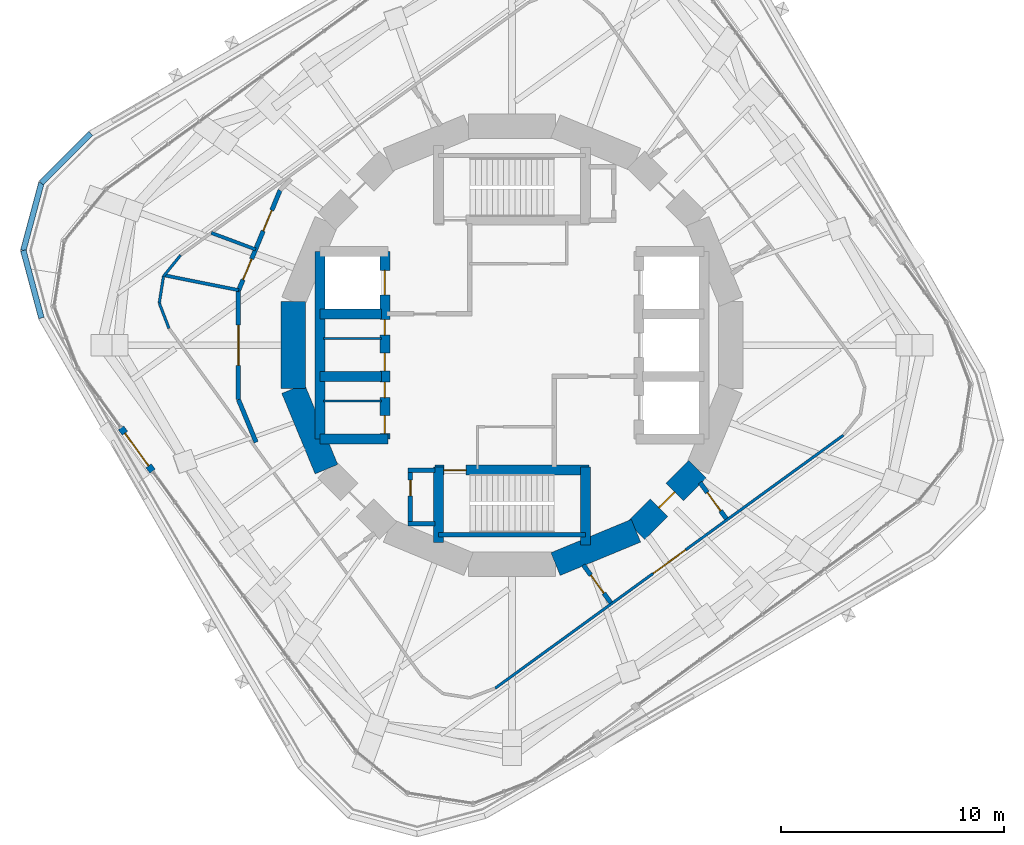
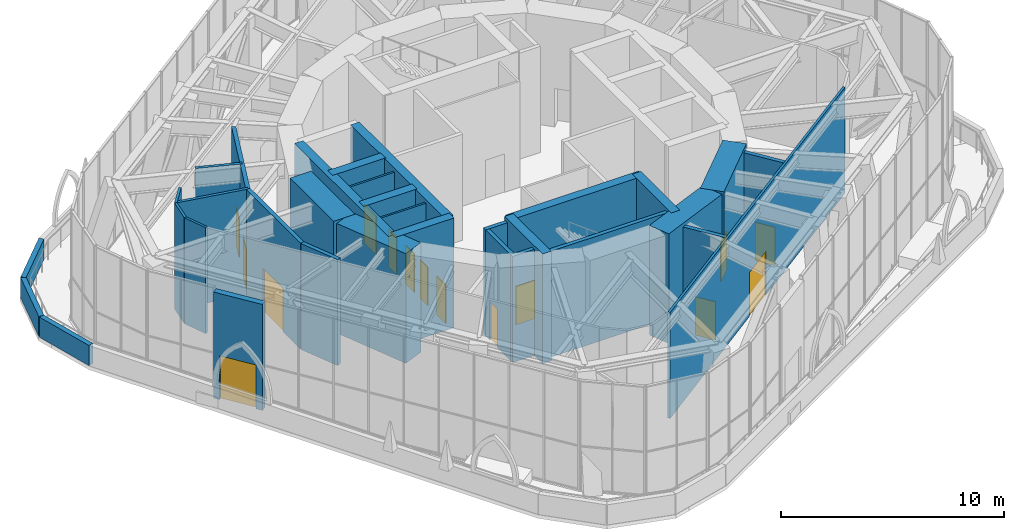
# One storey, part 13 of 18: 33 walls, 15 doors, 15 openings.
"""IFC4 building model written with IfcOpenShell, lengths in metres."""

from ifc_helpers import new_model, si_unit, direction, frame, frame_2d, origin, place, context, subcontext, project, spatial, rectangle, extrude, material, layer, layer_set, type_object, element, fill, save


model = new_model("IFC4")

# Units and contexts
model_context = context("Model", 3, precision=1e-05, world=origin(), true_north=direction((0.0, 1.0)))
body_context = subcontext(model_context, "Body", "Model", "MODEL_VIEW")
ifc_project = project(units=[si_unit("LENGTHUNIT", "METRE"), si_unit("AREAUNIT", "SQUARE_METRE"), si_unit("VOLUMEUNIT", "CUBIC_METRE"), si_unit("PLANEANGLEUNIT", "RADIAN"), si_unit("MASSUNIT", "GRAM", prefix="KILO")], contexts=[model_context])

# Site, building, storey
site_placement = place(None, origin())
site = spatial("IfcSite", under=ifc_project, at=site_placement, CompositionType="ELEMENT")
building_placement = place(site_placement, origin())
building = spatial("IfcBuilding", under=site, at=building_placement, Name="Nakasero Lantern House", CompositionType="ELEMENT")
storey_placement = place(building_placement, frame((0.0, 0.0, 257.75)))
storey = spatial("IfcBuildingStorey", under=building, at=storey_placement, Name="L63", CompositionType="ELEMENT", Elevation=257.75)

# Wall, openings, doors
ifc_material_1 = material(Name="Concrete C50/60", Category="concrete")
ifc_layer_1 = layer(ifc_material_1, 0.449951171875)
ifc_layer_set_1 = layer_set([ifc_layer_1], Name="Core inner wall 450")
wall_type_1 = type_object("IfcWallType", Name="Core inner wall 450", PredefinedType="SHEAR", material=ifc_layer_set_1)
wall_1_placement = place(storey_placement, frame((-5.699951171875, -4.199951171875, 0.0), z_axis=(0.0, 0.0, 1.0), x_axis=(0.0, 1.0, 0.0)))
wall_1 = element("IfcWall", 1, at=wall_1_placement, inside=storey, type_object=wall_type_1, Name="Core inner wall L63 LW", PredefinedType="SHEAR", context=body_context, shape_type="SweptSolid", body=[
    extrude(rectangle(XDim=8.39990234375, YDim=0.449951171875, at=frame_2d((4.199951171875, 0.0))), origin(), (0.0, 0.0, 1.0), 6.0),
])
opening_1_placement = place(wall_1_placement, frame((0.25, 0.0, 0.0)))
opening_1 = element("IfcOpeningElement", 2, at=opening_1_placement, cuts=wall_1, Name="Opening D15", PredefinedType="OPENING", context=body_context, shape_type="SweptSolid", body=[
    extrude(rectangle(XDim=0.800048828125, YDim=2.10009765625, at=frame_2d((0.39990234375, 1.050048828125))), frame((0.0, 0.244873046875, 0.0), z_axis=(0.0, -1.0, 0.0), x_axis=(1.0, 0.0, 0.0)), (0.0, 0.0, 1.0), 0.489990234375),
])
opening_2_placement = place(wall_1_placement, frame((1.85009765625, 0.0, 0.0)))
opening_2 = element("IfcOpeningElement", 3, at=opening_2_placement, cuts=wall_1, Name="Opening D20", PredefinedType="OPENING", context=body_context, shape_type="SweptSolid", body=[
    extrude(rectangle(XDim=0.699951171875, YDim=2.10009765625, at=frame_2d((0.35009765625, 1.050048828125))), frame((0.0, 0.244873046875, 0.0), z_axis=(0.0, -1.0, 0.0), x_axis=(1.0, 0.0, 0.0)), (0.0, 0.0, 1.0), 0.489990234375),
])
opening_3_placement = place(wall_1_placement, frame((3.050048828125, 0.0, 0.0)))
opening_3 = element("IfcOpeningElement", 4, at=opening_3_placement, cuts=wall_1, Name="Opening D15", PredefinedType="OPENING", context=body_context, shape_type="SweptSolid", body=[
    extrude(rectangle(XDim=0.800048828125, YDim=2.10009765625, at=frame_2d((0.39990234375, 1.050048828125))), frame((0.0, 0.244873046875, 0.0), z_axis=(0.0, -1.0, 0.0), x_axis=(1.0, 0.0, 0.0)), (0.0, 0.0, 1.0), 0.489990234375),
])
opening_4_placement = place(wall_1_placement, frame((4.64990234375, 0.0, 0.0)))
opening_4 = element("IfcOpeningElement", 5, at=opening_4_placement, cuts=wall_1, Name="Opening D20", PredefinedType="OPENING", context=body_context, shape_type="SweptSolid", body=[
    extrude(rectangle(XDim=0.699951171875, YDim=2.10009765625, at=frame_2d((0.35009765625, 1.050048828125))), frame((0.0, 0.244873046875, 0.0), z_axis=(0.0, -1.0, 0.0), x_axis=(1.0, 0.0, 0.0)), (0.0, 0.0, 1.0), 0.489990234375),
])
opening_5_placement = place(wall_1_placement, frame((6.449951171875, 0.0, 0.0)))
opening_5 = element("IfcOpeningElement", 6, at=opening_5_placement, cuts=wall_1, Name="Opening LD", PredefinedType="OPENING", context=body_context, shape_type="SweptSolid", body=[
    extrude(rectangle(XDim=1.10009765625, YDim=2.10009765625, at=frame_2d((0.550048828125, 1.050048828125))), frame((0.0, 0.244873046875, 0.0), z_axis=(0.0, -1.0, 0.0), x_axis=(1.0, 0.0, 0.0)), (0.0, 0.0, 1.0), 0.489990234375),
])
ifc_material_2 = material(Name="Timber C24", Category="wood")
door_type_1 = type_object("IfcDoorType", Name="Cleaner's store door FD30S 700", OperationType="SINGLE_SWING_LEFT", PredefinedType="DOOR", material=ifc_material_2)
door_1_placement = place(opening_2_placement, origin())
door_1 = element("IfcDoor", 7, at=door_1_placement, inside=storey, type_object=door_type_1, Name="Door L63 D-SH-LW1b", OperationType="SINGLE_SWING_LEFT", OverallHeight=2.10009765625, OverallWidth=0.699951171875, PredefinedType="DOOR", context=body_context, shape_type="SweptSolid", body=[
    extrude(rectangle(XDim=0.699951171875, YDim=2.10009765625, at=frame_2d((0.35009765625, 1.050048828125))), frame((0.0, 0.02490234375, 0.0), z_axis=(0.0, -1.0, 0.0), x_axis=(1.0, 0.0, 0.0)), (0.0, 0.0, 1.0), 0.050048828125),
])
fill(opening_2, door_1)
door_2_placement = place(opening_4_placement, origin())
door_2 = element("IfcDoor", 8, at=door_2_placement, inside=storey, type_object=door_type_1, Name="Door L63 D-SH-LW2b", OperationType="SINGLE_SWING_RIGHT", OverallHeight=2.10009765625, OverallWidth=0.699951171875, PredefinedType="DOOR", context=body_context, shape_type="SweptSolid", body=[
    extrude(rectangle(XDim=0.699951171875, YDim=2.10009765625, at=frame_2d((0.35009765625, 1.050048828125))), frame((0.0, 0.02490234375, 0.0), z_axis=(0.0, -1.0, 0.0), x_axis=(1.0, 0.0, 0.0)), (0.0, 0.0, 1.0), 0.050048828125),
])
fill(opening_4, door_2)
ifc_material_3 = material(Name="Timber C24", Category="wood")
door_type_2 = type_object("IfcDoorType", Name="Cleaner's store door FD30S 800", OperationType="SINGLE_SWING_LEFT", PredefinedType="DOOR", material=ifc_material_3)
door_3_placement = place(opening_1_placement, origin())
door_3 = element("IfcDoor", 9, at=door_3_placement, inside=storey, type_object=door_type_2, Name="Door L63 D-SH-LW1a", OperationType="SINGLE_SWING_LEFT", OverallHeight=2.10009765625, OverallWidth=0.800048828125, PredefinedType="DOOR", context=body_context, shape_type="SweptSolid", body=[
    extrude(rectangle(XDim=0.800048828125, YDim=2.10009765625, at=frame_2d((0.39990234375, 1.050048828125))), frame((0.0, 0.02490234375, 0.0), z_axis=(0.0, -1.0, 0.0), x_axis=(1.0, 0.0, 0.0)), (0.0, 0.0, 1.0), 0.050048828125),
])
fill(opening_1, door_3)
door_4_placement = place(opening_3_placement, origin())
door_4 = element("IfcDoor", 10, at=door_4_placement, inside=storey, type_object=door_type_2, Name="Door L63 D-SH-LW2a", OperationType="SINGLE_SWING_LEFT", OverallHeight=2.10009765625, OverallWidth=0.800048828125, PredefinedType="DOOR", context=body_context, shape_type="SweptSolid", body=[
    extrude(rectangle(XDim=0.800048828125, YDim=2.10009765625, at=frame_2d((0.39990234375, 1.050048828125))), frame((0.0, 0.02490234375, 0.0), z_axis=(0.0, -1.0, 0.0), x_axis=(1.0, 0.0, 0.0)), (0.0, 0.0, 1.0), 0.050048828125),
])
fill(opening_3, door_4)
ifc_material_4 = material(Name="Steel S355", Category="steel")
door_type_3 = type_object("IfcDoorType", Name="Lift landing door E120 1100", OperationType="SLIDING_TO_LEFT", PredefinedType="DOOR", material=ifc_material_4)
door_5_placement = place(opening_5_placement, origin())
door_5 = element("IfcDoor", 11, at=door_5_placement, inside=storey, type_object=door_type_3, Name="Lift landing door LW3", OperationType="SLIDING_TO_LEFT", OverallHeight=2.10009765625, OverallWidth=1.10009765625, PredefinedType="DOOR", context=body_context, shape_type="SweptSolid", body=[
    extrude(rectangle(XDim=1.10009765625, YDim=2.10009765625, at=frame_2d((0.550048828125, 1.050048828125))), frame((0.0, 0.02490234375, 0.0), z_axis=(0.0, -1.0, 0.0), x_axis=(1.0, 0.0, 0.0)), (0.0, 0.0, 1.0), 0.050048828125),
])
fill(opening_5, door_5)

# Walls
wall_2_placement = place(storey_placement, frame((-8.60009765625, -4.199951171875, 0.0), z_axis=(0.0, 0.0, 1.0), x_axis=(1.0, 0.0, 0.0)))
element("IfcWall", 12, at=wall_2_placement, inside=storey, type_object=wall_type_1, Name="Core inner wall L63 LWS", PredefinedType="SHEAR", context=body_context, shape_type="SweptSolid", body=[
    extrude(rectangle(XDim=3.050048828125, YDim=0.449951171875, at=frame_2d((1.52490234375, 0.0))), origin(), (0.0, 0.0, 1.0), 6.0),
])
wall_3_placement = place(storey_placement, frame((-8.60009765625, -4.199951171875, 0.0), z_axis=(0.0, 0.0, 1.0), x_axis=(0.0, 1.0, 0.0)))
element("IfcWall", 13, at=wall_3_placement, inside=storey, type_object=wall_type_1, Name="Core inner wall L63 LWB", PredefinedType="SHEAR", context=body_context, shape_type="SweptSolid", body=[
    extrude(rectangle(XDim=8.39990234375, YDim=0.449951171875, at=frame_2d((4.199951171875, 0.0))), origin(), (0.0, 0.0, 1.0), 6.0),
])
for number, where, z_axis, x_axis, name in (
    (14, (-8.60009765625, -1.39990234375, 0.0), (0.0, 0.0, 1.0), (1.0, 0.0, 0.0), "Core inner wall L63 LW1"),
    (15, (-8.60009765625, 1.39990234375, 0.0), (0.0, 0.0, 1.0), (1.0, 0.0, 0.0), "Core inner wall L63 LW2"),
):
    element("IfcWall", number, at=place(storey_placement, frame(where, z_axis=z_axis, x_axis=x_axis)), inside=storey, type_object=wall_type_1, Name=name, PredefinedType="SHEAR", context=body_context, shape_type="SweptSolid", body=[
        extrude(rectangle(XDim=2.75, YDim=0.449951171875, at=frame_2d((1.375, 0.0))), origin(), (0.0, 0.0, 1.0), 6.0),
    ])

# Wall, opening, door
wall_4_placement = place(storey_placement, frame((-3.449951171875, -5.60009765625, 0.0), z_axis=(0.0, 0.0, 1.0), x_axis=(1.0, 0.0, 0.0)))
wall_4 = element("IfcWall", 16, at=wall_4_placement, inside=storey, type_object=wall_type_1, Name="Core inner wall L63 SS", PredefinedType="SHEAR", context=body_context, shape_type="SweptSolid", body=[
    extrude(rectangle(XDim=6.89990234375, YDim=0.449951171875, at=frame_2d((3.449951171875, 0.0))), origin(), (0.0, 0.0, 1.0), 6.0),
])
opening_6_placement = place(wall_4_placement, frame((0.39990234375, 0.0, 0.0)))
opening_6 = element("IfcOpeningElement", 17, at=opening_6_placement, cuts=wall_4, Name="Opening D05", PredefinedType="OPENING", context=body_context, shape_type="SweptSolid", body=[
    extrude(rectangle(XDim=1.0, YDim=2.10009765625, at=frame_2d((0.5, 1.050048828125))), frame((0.0, 0.244873046875, 0.0), z_axis=(0.0, -1.0, 0.0), x_axis=(1.0, 0.0, 0.0)), (0.0, 0.0, 1.0), 0.489990234375),
])
ifc_material_5 = material(Name="Timber C24", Category="wood")
door_type_4 = type_object("IfcDoorType", Name="Core door FD60S 1000", OperationType="SINGLE_SWING_LEFT", PredefinedType="DOOR", material=ifc_material_5)
door_6_placement = place(opening_6_placement, origin())
door_6 = element("IfcDoor", 18, at=door_6_placement, inside=storey, type_object=door_type_4, Name="Door L63 D-ST2", OperationType="SINGLE_SWING_LEFT", OverallHeight=2.10009765625, OverallWidth=1.0, PredefinedType="DOOR", context=body_context, shape_type="SweptSolid", body=[
    extrude(rectangle(XDim=1.0, YDim=2.10009765625, at=frame_2d((0.5, 1.050048828125))), frame((0.0, 0.02490234375, 0.0), z_axis=(0.0, -1.0, 0.0), x_axis=(1.0, 0.0, 0.0)), (0.0, 0.0, 1.0), 0.050048828125),
])
fill(opening_6, door_6)

# Walls
wall_5_placement = place(storey_placement, frame((-3.300048828125, -5.449951171875, 0.0), z_axis=(0.0, 0.0, 1.0), x_axis=(0.0, -1.0, 0.0)))
element("IfcWall", 19, at=wall_5_placement, inside=storey, type_object=wall_type_1, Name="Core inner wall L63 SSW", PredefinedType="SHEAR", context=body_context, shape_type="SweptSolid", body=[
    extrude(rectangle(XDim=3.400146484375, YDim=0.449951171875, at=frame_2d((1.7001953125, 0.0))), origin(), (0.0, 0.0, 1.0), 6.0),
])
wall_6_placement = place(storey_placement, frame((3.300048828125, -5.449951171875, 0.0), z_axis=(0.0, 0.0, 1.0), x_axis=(0.0, -1.0, 0.0)))
element("IfcWall", 20, at=wall_6_placement, inside=storey, type_object=wall_type_1, Name="Core inner wall L63 SSE", PredefinedType="SHEAR", context=body_context, shape_type="SweptSolid", body=[
    extrude(rectangle(XDim=3.5, YDim=0.449951171875, at=frame_2d((1.75, 0.0))), origin(), (0.0, 0.0, 1.0), 6.0),
])
ifc_material_6 = material(Name="Blockwork", Category="masonry")
ifc_layer_2 = layer(ifc_material_6, 0.10009765625)
ifc_layer_set_2 = layer_set([ifc_layer_2], Name="Core room wall 100")
wall_type_2 = type_object("IfcWallType", Name="Core room wall 100", PredefinedType="PARTITIONING", material=ifc_layer_set_2)
for number, where, z_axis, x_axis, name in (
    (21, (-8.449951171875, -2.5, 0.0), (0.0, 0.0, 1.0), (1.0, 0.0, 0.0), "Core room wall L63 CR-SH-LW1b"),
    (22, (-8.449951171875, 0.300048828125, 0.0), (0.0, 0.0, 1.0), (1.0, 0.0, 0.0), "Core room wall L63 CR-SH-LW2b"),
):
    element("IfcWall", number, at=place(storey_placement, frame(where, z_axis=z_axis, x_axis=x_axis)), inside=storey, type_object=wall_type_2, Name=name, PredefinedType="PARTITIONING", context=body_context, shape_type="SweptSolid", body=[
        extrude(rectangle(XDim=2.599853515625, YDim=0.10009765625, at=frame_2d((1.2998046875, 0.0))), origin(), (0.0, 0.0, 1.0), 5.800048828125),
    ])
ifc_material_7 = material(Name="Concrete C50/60", Category="concrete")
ifc_layer_3 = layer(ifc_material_7, 1.10009765625)
ifc_layer_set_3 = layer_set([ifc_layer_3], Name="Core wall 1100")
wall_type_3 = type_object("IfcWallType", Name="Core wall 1100", PredefinedType="SHEAR", material=ifc_layer_set_3)
for number, where, z_axis, x_axis, name in (
    (23, (-9.807861328125, 1.950927734375, 0.0), (0.0, 0.0, 1.0), (0.0, -1.0, 0.0), "Core wall L63 facet 8"),
    (24, (-9.807861328125, -1.950927734375, 0.0), (0.0, 0.0, 1.0), (0.382690736062, -0.923876507187, 0.0), "Core wall L63 facet 9"),
    (25, (1.950927734375, -9.807861328125, 0.0), (0.0, 0.0, 1.0), (0.923876507187, 0.382690736062, 0.0), "Core wall L63 facet 13"),
):
    element("IfcWall", number, at=place(storey_placement, frame(where, z_axis=z_axis, x_axis=x_axis)), inside=storey, type_object=wall_type_3, Name=name, PredefinedType="SHEAR", context=body_context, shape_type="SweptSolid", body=[
        extrude(rectangle(XDim=3.90185546875, YDim=1.10009765625, at=frame_2d((1.950927734375, 0.0))), origin(), (0.0, 0.0, 1.0), 6.0),
    ])

# Wall, opening, door
wall_7_placement = place(storey_placement, frame((5.5556640625, -8.314697265625, 0.0), z_axis=(0.0, 0.0, 1.0), x_axis=(0.707106781187, 0.707106781187, 0.0)))
wall_7 = element("IfcWall", 26, at=wall_7_placement, inside=storey, type_object=wall_type_3, Name="Core wall L63 facet 14", PredefinedType="SHEAR", context=body_context, shape_type="SweptSolid", body=[
    extrude(rectangle(XDim=3.90185546875, YDim=1.10009765625, at=frame_2d((1.950927734375, 0.0))), origin(), (0.0, 0.0, 1.0), 6.0),
])
opening_7_placement = place(wall_7_placement, frame((1.450927734375, 0.0, 0.0)))
opening_7 = element("IfcOpeningElement", 27, at=opening_7_placement, cuts=wall_7, Name="Opening D05", PredefinedType="OPENING", context=body_context, shape_type="SweptSolid", body=[
    extrude(rectangle(XDim=1.0, YDim=2.10009765625, at=frame_2d((0.5, 1.050048828125))), frame((0.0, 0.570068359375, 0.0), z_axis=(0.0, -1.0, 0.0), x_axis=(1.0, 0.0, 0.0)), (0.0, 0.0, 1.0), 1.14013671875),
])
door_7_placement = place(opening_7_placement, origin())
door_7 = element("IfcDoor", 28, at=door_7_placement, inside=storey, type_object=door_type_4, Name="Door L63 D-CORE14", OperationType="SINGLE_SWING_LEFT", OverallHeight=2.10009765625, OverallWidth=1.0, PredefinedType="DOOR", context=body_context, shape_type="SweptSolid", body=[
    extrude(rectangle(XDim=1.0, YDim=2.10009765625, at=frame_2d((0.5, 1.050048828125))), frame((0.0, 0.02490234375, 0.0), z_axis=(0.0, -1.0, 0.0), x_axis=(1.0, 0.0, 0.0)), (0.0, 0.0, 1.0), 0.050048828125),
])
fill(opening_7, door_7)

# Wall
ifc_material_8 = material(Name="Blockwork", Category="masonry")
ifc_layer_4 = layer(ifc_material_8, 0.199951171875)
ifc_layer_set_4 = layer_set([ifc_layer_4], Name="Corridor wall 200")
wall_type_4 = type_object("IfcWallType", Name="Corridor wall 200", PredefinedType="PARTITIONING", material=ifc_layer_set_4)
wall_8_placement = place(storey_placement, frame((-11.4658203125, -4.3505859375, 0.0), z_axis=(0.0, 0.0, 1.0), x_axis=(-0.382629586458, 0.923901834378, 0.0)))
element("IfcWall", 29, at=wall_8_placement, inside=storey, type_object=wall_type_4, Name="Corridor wall L63 TC00", PredefinedType="PARTITIONING", context=body_context, shape_type="SweptSolid", body=[
    extrude(rectangle(XDim=2.06982421875, YDim=0.199951171875, at=frame_2d((1.034912109375, 0.0))), origin(), (0.0, 0.0, 1.0), 5.800048828125),
])

# Wall, opening, door
wall_9_placement = place(storey_placement, frame((-12.2578125, -2.438232421875, 0.0), z_axis=(0.0, 0.0, 1.0), x_axis=(0.0, 1.0, 0.0)))
wall_9 = element("IfcWall", 30, at=wall_9_placement, inside=storey, type_object=wall_type_4, Name="Corridor wall L63 TC01", PredefinedType="PARTITIONING", context=body_context, shape_type="SweptSolid", body=[
    extrude(rectangle(XDim=4.87646484375, YDim=0.199951171875, at=frame_2d((2.438232421875, 0.0))), origin(), (0.0, 0.0, 1.0), 5.800048828125),
])
opening_8_placement = place(wall_9_placement, frame((1.538330078125, 0.0, 0.0)))
opening_8 = element("IfcOpeningElement", 31, at=opening_8_placement, cuts=wall_9, Name="Opening D12", PredefinedType="OPENING", context=body_context, shape_type="SweptSolid", body=[
    extrude(rectangle(XDim=1.800048828125, YDim=2.39990234375, at=frame_2d((0.89990234375, 1.199951171875))), frame((0.0, 0.119873046875, 0.0), z_axis=(0.0, -1.0, 0.0), x_axis=(1.0, 0.0, 0.0)), (0.0, 0.0, 1.0), 0.239990234375),
])
ifc_material_9 = material(Name="Timber C24", Category="wood")
door_type_5 = type_object("IfcDoorType", Name="Room doors FD30S 1800", OperationType="DOUBLE_DOOR_SINGLE_SWING", PredefinedType="DOOR", material=ifc_material_9)
door_8_placement = place(opening_8_placement, origin())
door_8 = element("IfcDoor", 32, at=door_8_placement, inside=storey, type_object=door_type_5, Name="Door L63 TDR12", OperationType="DOUBLE_DOOR_SINGLE_SWING", OverallHeight=2.39990234375, OverallWidth=1.800048828125, PredefinedType="DOOR", context=body_context, shape_type="SweptSolid", body=[
    extrude(rectangle(XDim=1.800048828125, YDim=2.39990234375, at=frame_2d((0.89990234375, 1.199951171875))), frame((0.0, 0.02490234375, 0.0), z_axis=(0.0, -1.0, 0.0), x_axis=(1.0, 0.0, 0.0)), (0.0, 0.0, 1.0), 0.050048828125),
])
fill(opening_8, door_8)

# Wall, openings, doors
wall_10_placement = place(storey_placement, frame((-12.2578125, 2.438232421875, 0.0), z_axis=(0.0, 0.0, 1.0), x_axis=(0.382687830351, 0.923877710793, 0.0)))
wall_10 = element("IfcWall", 33, at=wall_10_placement, inside=storey, type_object=wall_type_4, Name="Corridor wall L63 TC02", PredefinedType="PARTITIONING", context=body_context, shape_type="SweptSolid", body=[
    extrude(rectangle(XDim=4.876708984375, YDim=0.199951171875, at=frame_2d((2.4384765625, 0.0))), origin(), (0.0, 0.0, 1.0), 5.800048828125),
])
opening_9_placement = place(wall_10_placement, frame((2.90380859375, 0.0, 0.0)))
opening_9 = element("IfcOpeningElement", 34, at=opening_9_placement, cuts=wall_10, Name="Opening D07", PredefinedType="OPENING", context=body_context, shape_type="SweptSolid", body=[
    extrude(rectangle(XDim=1.0, YDim=2.10009765625, at=frame_2d((0.5, 1.050048828125))), frame((0.0, 0.119873046875, 0.0), z_axis=(0.0, -1.0, 0.0), x_axis=(1.0, 0.0, 0.0)), (0.0, 0.0, 1.0), 0.239990234375),
])
opening_10_placement = place(wall_10_placement, frame((0.540771484375, 0.0, 0.0)))
opening_10 = element("IfcOpeningElement", 35, at=opening_10_placement, cuts=wall_10, Name="Opening D07", PredefinedType="OPENING", context=body_context, shape_type="SweptSolid", body=[
    extrude(rectangle(XDim=1.0, YDim=2.10009765625, at=frame_2d((0.5, 1.050048828125))), frame((0.0, 0.119873046875, 0.0), z_axis=(0.0, -1.0, 0.0), x_axis=(1.0, 0.0, 0.0)), (0.0, 0.0, 1.0), 0.239990234375),
])
ifc_material_10 = material(Name="Timber C24", Category="wood")
door_type_6 = type_object("IfcDoorType", Name="Room door FD30S 1000", OperationType="SINGLE_SWING_LEFT", PredefinedType="DOOR", material=ifc_material_10)
door_9_placement = place(opening_9_placement, origin())
door_9 = element("IfcDoor", 36, at=door_9_placement, inside=storey, type_object=door_type_6, Name="Door L63 TDR10", OperationType="SINGLE_SWING_RIGHT", OverallHeight=2.10009765625, OverallWidth=1.0, PredefinedType="DOOR", context=body_context, shape_type="SweptSolid", body=[
    extrude(rectangle(XDim=1.0, YDim=2.10009765625, at=frame_2d((0.5, 1.050048828125))), frame((0.0, 0.02490234375, 0.0), z_axis=(0.0, -1.0, 0.0), x_axis=(1.0, 0.0, 0.0)), (0.0, 0.0, 1.0), 0.050048828125),
])
fill(opening_9, door_9)
door_10_placement = place(opening_10_placement, origin())
door_10 = element("IfcDoor", 37, at=door_10_placement, inside=storey, type_object=door_type_6, Name="Door L63 TDR11", OperationType="SINGLE_SWING_LEFT", OverallHeight=2.10009765625, OverallWidth=1.0, PredefinedType="DOOR", context=body_context, shape_type="SweptSolid", body=[
    extrude(rectangle(XDim=1.0, YDim=2.10009765625, at=frame_2d((0.5, 1.050048828125))), frame((0.0, 0.02490234375, 0.0), z_axis=(0.0, -1.0, 0.0), x_axis=(1.0, 0.0, 0.0)), (0.0, 0.0, 1.0), 0.050048828125),
])
fill(opening_10, door_10)

# Wall, opening, door
wall_11_placement = place(storey_placement, frame((3.197021484375, -9.8466796875, 0.0), z_axis=(0.0, 0.0, 1.0), x_axis=(0.587728553665, -0.809058185304, 0.0)))
wall_11 = element("IfcWall", 38, at=wall_11_placement, inside=storey, type_object=wall_type_4, Name="Corridor wall L63 TQ21", PredefinedType="PARTITIONING", context=body_context, shape_type="SweptSolid", body=[
    extrude(rectangle(XDim=2.096923828125, YDim=0.199951171875, at=frame_2d((1.04833984375, 0.0))), origin(), (0.0, 0.0, 1.0), 5.800048828125),
])
opening_11_placement = place(wall_11_placement, frame((0.566650390625, 0.0, 0.0)))
opening_11 = element("IfcOpeningElement", 39, at=opening_11_placement, cuts=wall_11, Name="Opening D03", PredefinedType="OPENING", context=body_context, shape_type="SweptSolid", body=[
    extrude(rectangle(XDim=1.0, YDim=2.10009765625, at=frame_2d((0.5, 1.050048828125))), frame((0.0, 0.119873046875, 0.0), z_axis=(0.0, -1.0, 0.0), x_axis=(1.0, 0.0, 0.0)), (0.0, 0.0, 1.0), 0.239990234375),
])
ifc_material_11 = material(Name="Timber C24", Category="wood")
door_type_7 = type_object("IfcDoorType", Name="Lounge door FD30S 1000", OperationType="SINGLE_SWING_LEFT", PredefinedType="DOOR", material=ifc_material_11)
door_11_placement = place(opening_11_placement, origin())
door_11 = element("IfcDoor", 40, at=door_11_placement, inside=storey, type_object=door_type_7, Name="Door L63 DQ21", OperationType="SINGLE_SWING_RIGHT", OverallHeight=2.10009765625, OverallWidth=1.0, PredefinedType="DOOR", context=body_context, shape_type="SweptSolid", body=[
    extrude(rectangle(XDim=1.0, YDim=2.10009765625, at=frame_2d((0.5, 1.050048828125))), frame((0.0, 0.02490234375, 0.0), z_axis=(0.0, -1.0, 0.0), x_axis=(1.0, 0.0, 0.0)), (0.0, 0.0, 1.0), 0.050048828125),
])
fill(opening_11, door_11)

wall_12_placement = place(storey_placement, frame((8.428955078125, -6.1552734375, 0.0), z_axis=(0.0, 0.0, 1.0), x_axis=(0.587831883246, -0.808983112951, 0.0)))
wall_12 = element("IfcWall", 41, at=wall_12_placement, inside=storey, type_object=wall_type_4, Name="Corridor wall L63 TQ30", PredefinedType="PARTITIONING", context=body_context, shape_type="SweptSolid", body=[
    extrude(rectangle(XDim=2.008056640625, YDim=0.199951171875, at=frame_2d((1.00390625, 0.0))), origin(), (0.0, 0.0, 1.0), 5.800048828125),
])
opening_12_placement = place(wall_12_placement, frame((0.55859375, 0.0, 0.0)))
opening_12 = element("IfcOpeningElement", 42, at=opening_12_placement, cuts=wall_12, Name="Opening D03", PredefinedType="OPENING", context=body_context, shape_type="SweptSolid", body=[
    extrude(rectangle(XDim=1.0, YDim=2.10009765625, at=frame_2d((0.5, 1.050048828125))), frame((0.0, 0.119873046875, 0.0), z_axis=(0.0, -1.0, 0.0), x_axis=(1.0, 0.0, 0.0)), (0.0, 0.0, 1.0), 0.239990234375),
])
door_12_placement = place(opening_12_placement, origin())
door_12 = element("IfcDoor", 43, at=door_12_placement, inside=storey, type_object=door_type_7, Name="Door L63 DQ30", OperationType="SINGLE_SWING_RIGHT", OverallHeight=2.10009765625, OverallWidth=1.0, PredefinedType="DOOR", context=body_context, shape_type="SweptSolid", body=[
    extrude(rectangle(XDim=1.0, YDim=2.10009765625, at=frame_2d((0.5, 1.050048828125))), frame((0.0, 0.02490234375, 0.0), z_axis=(0.0, -1.0, 0.0), x_axis=(1.0, 0.0, 0.0)), (0.0, 0.0, 1.0), 0.050048828125),
])
fill(opening_12, door_12)

ifc_material_12 = material(Name="Concrete C40/50", Category="concrete")
ifc_layer_5 = layer(ifc_material_12, 0.300048828125)
ifc_layer_set_5 = layer_set([ifc_layer_5], Name="Entrance portal wall 300")
wall_type_5 = type_object("IfcWallType", Name="Entrance portal wall 300", PredefinedType="SOLIDWALL", material=ifc_layer_set_5)
wall_13_placement = place(storey_placement, frame((-17.518310546875, -3.704345703125, 0.0), z_axis=(0.0, 0.0, 1.0), x_axis=(0.587772420479, -0.809026317077, 0.0)))
wall_13 = element("IfcWall", 44, at=wall_13_placement, inside=storey, type_object=wall_type_5, Name="Sky lounge door wall L63 2", PredefinedType="SOLIDWALL", context=body_context, shape_type="SweptSolid", body=[
    extrude(rectangle(XDim=2.39990234375, YDim=0.300048828125, at=frame_2d((1.199951171875, 0.0))), origin(), (0.0, 0.0, 1.0), 5.800048828125),
])
opening_13_placement = place(wall_13_placement, frame((0.300048828125, 0.0, 0.0)))
opening_13 = element("IfcOpeningElement", 45, at=opening_13_placement, cuts=wall_13, Name="Opening D10", PredefinedType="OPENING", context=body_context, shape_type="SweptSolid", body=[
    extrude(rectangle(XDim=1.800048828125, YDim=2.39990234375, at=frame_2d((0.89990234375, 1.199951171875))), frame((0.0, 0.169921875, 0.0), z_axis=(0.0, -1.0, 0.0), x_axis=(1.0, 0.0, 0.0)), (0.0, 0.0, 1.0), 0.340087890625),
])
ifc_material_13 = material(Name="Aluminium 6063-T6 and glass", Category="aluminium")
door_type_8 = type_object("IfcDoorType", Name="Sky garden doors 1800x2400", OperationType="DOUBLE_DOOR_SINGLE_SWING", PredefinedType="DOOR", material=ifc_material_13)
door_13_placement = place(opening_13_placement, origin())
door_13 = element("IfcDoor", 46, at=door_13_placement, inside=storey, type_object=door_type_8, Name="Sky garden door L63 2", OperationType="DOUBLE_DOOR_SINGLE_SWING", OverallHeight=2.39990234375, OverallWidth=1.800048828125, PredefinedType="DOOR", context=body_context, shape_type="SweptSolid", body=[
    extrude(rectangle(XDim=1.800048828125, YDim=2.39990234375, at=frame_2d((0.89990234375, 1.199951171875))), frame((0.0, 0.02490234375, 0.0), z_axis=(0.0, -1.0, 0.0), x_axis=(1.0, 0.0, 0.0)), (0.0, 0.0, 1.0), 0.050048828125),
])
fill(opening_13, door_13)

ifc_material_14 = material(Name="Blockwork", Category="masonry")
ifc_layer_6 = layer(ifc_material_14, 0.199951171875)
ifc_layer_set_6 = layer_set([ifc_layer_6], Name="Fire lobby wall 200")
wall_type_6 = type_object("IfcWallType", Name="Fire lobby wall 200", PredefinedType="PARTITIONING", material=ifc_layer_set_6)
wall_14_placement = place(storey_placement, frame((-4.550048828125, -5.60009765625, 0.0), z_axis=(0.0, 0.0, 1.0), x_axis=(0.0, -1.0, 0.0)))
wall_14 = element("IfcWall", 47, at=wall_14_placement, inside=storey, type_object=wall_type_6, Name="Fire lobby wall L63 W-RS2W", PredefinedType="PARTITIONING", context=body_context, shape_type="SweptSolid", body=[
    extrude(rectangle(XDim=2.39990234375, YDim=0.199951171875, at=frame_2d((1.199951171875, 0.0))), origin(), (0.0, 0.0, 1.0), 5.800048828125),
])
opening_14_placement = place(wall_14_placement, frame((0.449951171875, 0.0, 0.0)))
opening_14 = element("IfcOpeningElement", 48, at=opening_14_placement, cuts=wall_14, Name="Opening D06", PredefinedType="OPENING", context=body_context, shape_type="SweptSolid", body=[
    extrude(rectangle(XDim=0.699951171875, YDim=2.10009765625, at=frame_2d((0.35009765625, 1.050048828125))), frame((0.0, 0.119873046875, 0.0), z_axis=(0.0, -1.0, 0.0), x_axis=(1.0, 0.0, 0.0)), (0.0, 0.0, 1.0), 0.239990234375),
])
ifc_material_15 = material(Name="Steel S355", Category="steel")
door_type_9 = type_object("IfcDoorType", Name="Riser door FD60 700", OperationType="SINGLE_SWING_LEFT", PredefinedType="DOOR", material=ifc_material_15)
door_14_placement = place(opening_14_placement, origin())
door_14 = element("IfcDoor", 49, at=door_14_placement, inside=storey, type_object=door_type_9, Name="Door L63 D-RS2", OperationType="SINGLE_SWING_LEFT", OverallHeight=2.10009765625, OverallWidth=0.699951171875, PredefinedType="DOOR", context=body_context, shape_type="SweptSolid", body=[
    extrude(rectangle(XDim=0.699951171875, YDim=2.10009765625, at=frame_2d((0.35009765625, 1.050048828125))), frame((0.0, 0.02490234375, 0.0), z_axis=(0.0, -1.0, 0.0), x_axis=(1.0, 0.0, 0.0)), (0.0, 0.0, 1.0), 0.050048828125),
])
fill(opening_14, door_14)

# Walls
for number, where, z_axis, x_axis, name in (
    (50, (-3.449951171875, -8.0, 0.0), (0.0, 0.0, 1.0), (-1.0, 0.0, 0.0), "Fire lobby wall L63 W-RS2S"),
    (51, (-3.449951171875, -5.60009765625, 0.0), (0.0, 0.0, 1.0), (-1.0, 0.0, 0.0), "Fire lobby wall L63 W-RS2N"),
):
    element("IfcWall", number, at=place(storey_placement, frame(where, z_axis=z_axis, x_axis=x_axis)), inside=storey, type_object=wall_type_6, Name=name, PredefinedType="PARTITIONING", context=body_context, shape_type="SweptSolid", body=[
        extrude(rectangle(XDim=1.199951171875, YDim=0.199951171875, at=frame_2d((0.60009765625, 0.0))), origin(), (0.0, 0.0, 1.0), 5.800048828125),
    ])
wall_15_placement = place(storey_placement, frame((-3.300048828125, -8.5, 0.0), z_axis=(0.0, 0.0, 1.0), x_axis=(1.0, 0.0, 0.0)))
element("IfcWall", 52, at=wall_15_placement, inside=storey, type_object=wall_type_6, Name="Fire lobby wall L63 W-STS", PredefinedType="PARTITIONING", context=body_context, shape_type="SweptSolid", body=[
    extrude(rectangle(XDim=6.60009765625, YDim=0.199951171875, at=frame_2d((3.300048828125, 0.0))), origin(), (0.0, 0.0, 1.0), 5.800048828125),
])
ifc_material_16 = material(Name="Aluminium 6063-T6 and glass", Category="aluminium")
ifc_layer_7 = layer(ifc_material_16, 0.1201171875)
ifc_layer_set_7 = layer_set([ifc_layer_7], Name="Glazed screen 120")
wall_type_7 = type_object("IfcWallType", Name="Glazed screen 120", PredefinedType="PARTITIONING", material=ifc_layer_set_7)
wall_16_placement = place(storey_placement, frame((-14.849609375, 4.034423828125, 0.0), z_axis=(0.0, 0.0, 1.0), x_axis=(-0.629163588375, -0.777272911572, 0.0)))
element("IfcWall", 53, at=wall_16_placement, inside=storey, type_object=wall_type_7, Name="Glazed screen L63 WG1C1", PredefinedType="PARTITIONING", context=body_context, shape_type="SweptSolid", body=[
    extrude(rectangle(XDim=1.216552734375, YDim=0.1201171875, at=frame_2d((0.6083984375, 0.0))), origin(), (0.0, 0.0, 1.0), 5.800048828125),
])
for number, where, z_axis, x_axis, name in (
    (54, (-15.614990234375, 3.0888671875, 0.0), (0.0, 0.0, 1.0), (-0.156550015281, -0.987670032306, 0.0), "Glazed screen L63 WG1C2"),
    (55, (-15.805419921875, 1.887451171875, 0.0), (0.0, 0.0, 1.0), (0.358481373149, -0.933536879349, 0.0), "Glazed screen L63 WG1C3"),
):
    element("IfcWall", number, at=place(storey_placement, frame(where, z_axis=z_axis, x_axis=x_axis)), inside=storey, type_object=wall_type_7, Name=name, PredefinedType="PARTITIONING", context=body_context, shape_type="SweptSolid", body=[
        extrude(rectangle(XDim=1.21630859375, YDim=0.1201171875, at=frame_2d((0.608154296875, 0.0))), origin(), (0.0, 0.0, 1.0), 5.800048828125),
    ])

# Wall, opening, door
wall_17_placement = place(storey_placement, frame((-0.751953125, -15.369384765625, 0.0), z_axis=(0.0, 0.0, 1.0), x_axis=(0.809022856237, 0.587777184047, 0.0)))
wall_17 = element("IfcWall", 56, at=wall_17_placement, inside=storey, type_object=wall_type_7, Name="Glazed screen L63 WG3S", PredefinedType="PARTITIONING", context=body_context, shape_type="SweptSolid", body=[
    extrude(rectangle(XDim=19.284423828125, YDim=0.1201171875, at=frame_2d((9.64208984375, 0.0))), origin(), (0.0, 0.0, 1.0), 5.800048828125),
])
opening_15_placement = place(wall_17_placement, frame((8.7421875, 0.0, 0.0)))
opening_15 = element("IfcOpeningElement", 57, at=opening_15_placement, cuts=wall_17, Name="Opening D18", PredefinedType="OPENING", context=body_context, shape_type="SweptSolid", body=[
    extrude(rectangle(XDim=1.800048828125, YDim=2.39990234375, at=frame_2d((0.89990234375, 1.199951171875))), frame((0.0, 0.080078125, 0.0), z_axis=(0.0, -1.0, 0.0), x_axis=(1.0, 0.0, 0.0)), (0.0, 0.0, 1.0), 0.16015625),
])
ifc_material_17 = material(Name="Aluminium 6063-T6 and glass", Category="aluminium")
door_type_10 = type_object("IfcDoorType", Name="Glazed screen door 1800", OperationType="DOUBLE_DOOR_SINGLE_SWING", PredefinedType="DOOR", material=ifc_material_17)
door_15_placement = place(opening_15_placement, origin())
door_15 = element("IfcDoor", 58, at=door_15_placement, inside=storey, type_object=door_type_10, Name="Door L63 DW3", OperationType="DOUBLE_DOOR_SINGLE_SWING", OverallHeight=2.39990234375, OverallWidth=1.800048828125, PredefinedType="DOOR", context=body_context, shape_type="SweptSolid", body=[
    extrude(rectangle(XDim=1.800048828125, YDim=2.39990234375, at=frame_2d((0.89990234375, 1.199951171875))), frame((0.0, 0.02490234375, 0.0), z_axis=(0.0, -1.0, 0.0), x_axis=(1.0, 0.0, 0.0)), (0.0, 0.0, 1.0), 0.050048828125),
])
fill(opening_15, door_15)

# Walls
ifc_material_18 = material(Name="Concrete C35/45", Category="concrete")
ifc_layer_8 = layer(ifc_material_18, 0.25)
ifc_layer_set_8 = layer_set([ifc_layer_8], Name="Parapet 250")
wall_type_8 = type_object("IfcWallType", Name="Parapet 250", PredefinedType="SOLIDWALL", material=ifc_layer_set_8)
for number, where, z_axis, x_axis, name in (
    (59, (-18.870849609375, 9.4853515625, 0.0), (0.0, 0.0, 1.0), (-0.707145758492, -0.707067801733, 0.0), "Parapet L63 PP1C1"),
    (60, (-21.08544921875, 7.27099609375, 0.0), (0.0, 0.0, 1.0), (-0.258807521156, -0.965928914048, 0.0), "Parapet L63 PP1C2"),
):
    element("IfcWall", number, at=place(storey_placement, frame(where, z_axis=z_axis, x_axis=x_axis)), inside=storey, type_object=wall_type_8, Name=name, PredefinedType="SOLIDWALL", context=body_context, shape_type="SweptSolid", body=[
        extrude(rectangle(XDim=3.1318359375, YDim=0.25, at=frame_2d((1.56591796875, 0.0))), origin(), (0.0, 0.0, 1.0), 1.10009765625),
    ])
wall_18_placement = place(storey_placement, frame((-21.89599609375, 4.245849609375, 0.0), z_axis=(0.0, 0.0, 1.0), x_axis=(0.258827010283, -0.96592369199, 0.0)))
element("IfcWall", 61, at=wall_18_placement, inside=storey, type_object=wall_type_8, Name="Parapet L63 PP1C3", PredefinedType="SOLIDWALL", context=body_context, shape_type="SweptSolid", body=[
    extrude(rectangle(XDim=3.131591796875, YDim=0.25, at=frame_2d((1.56591796875, 0.0))), origin(), (0.0, 0.0, 1.0), 1.10009765625),
])
ifc_material_19 = material(Name="Blockwork", Category="masonry")
ifc_layer_9 = layer(ifc_material_19, 0.14990234375)
ifc_layer_set_9 = layer_set([ifc_layer_9], Name="Party wall 150")
wall_type_9 = type_object("IfcWallType", Name="Party wall 150", PredefinedType="PARTITIONING", material=ifc_layer_set_9)
wall_19_placement = place(storey_placement, frame((-11.489990234375, 4.2919921875, 0.0), z_axis=(0.0, 0.0, 1.0), x_axis=(-0.936797201583, 0.34987283848, 0.0)))
element("IfcWall", 62, at=wall_19_placement, inside=storey, type_object=wall_type_9, Name="Party wall L63 TD10", PredefinedType="PARTITIONING", context=body_context, shape_type="SweptSolid", body=[
    extrude(rectangle(XDim=2.118408203125, YDim=0.14990234375, at=frame_2d((1.05908203125, 0.0))), origin(), (0.0, 0.0, 1.0), 5.800048828125),
])
wall_20_placement = place(storey_placement, frame((-12.247314453125, 2.4638671875, 0.0), z_axis=(0.0, 0.0, 1.0), x_axis=(-0.980358983502, 0.19722135652, 0.0)))
element("IfcWall", 63, at=wall_20_placement, inside=storey, type_object=wall_type_9, Name="Party wall L63 TD11", PredefinedType="PARTITIONING", context=body_context, shape_type="SweptSolid", body=[
    extrude(rectangle(XDim=3.39794921875, YDim=0.14990234375, at=frame_2d((1.698974609375, 0.0))), origin(), (0.0, 0.0, 1.0), 5.800048828125),
])

save(model, "model.ifc")
